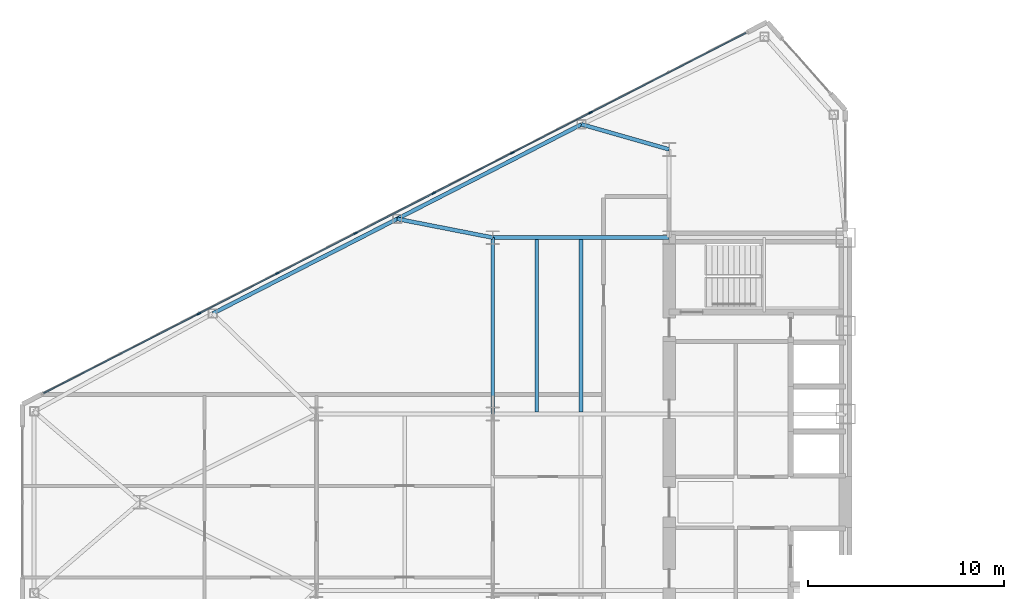
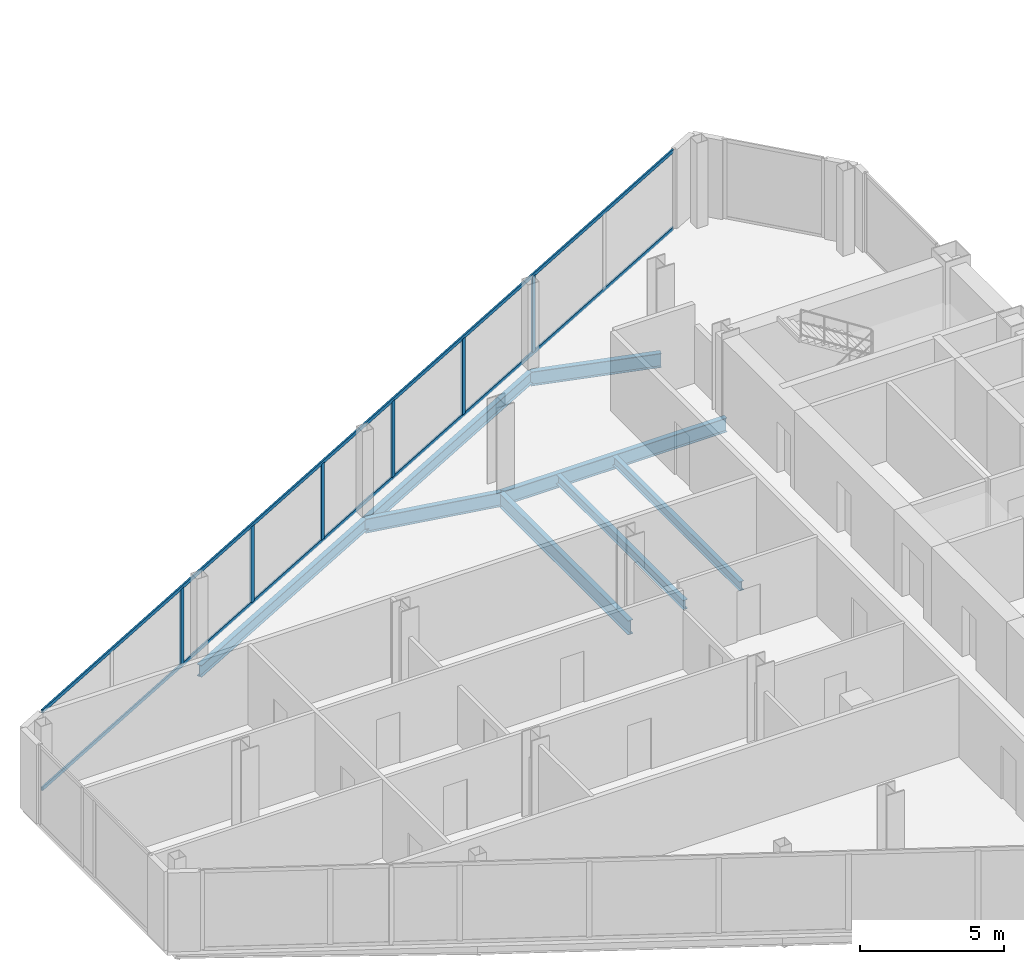
# One storey, part 6 of 23: 8 beams, 8 members, 1 element without a shape of its own.
"""IFC4 building model written with IfcOpenShell, lengths in metres."""

from ifc_helpers import new_model, si_unit, direction, frame, origin, origin_2d, place, context, subcontext, project, spatial, rectangle, i_section, extrude, source, transform, mapped, material, layer, layer_set, material_profile, profile_set, type_object, type_shapes, element, aggregate, save


model = new_model("IFC4")

# Units and contexts
model_context = context("Model", 3, precision=1e-05, world=origin(), true_north=direction((0.0, 1.0)))
body_context = subcontext(model_context, "Body", "Model", "MODEL_VIEW")
ifc_project = project(units=[si_unit("LENGTHUNIT", "METRE"), si_unit("AREAUNIT", "SQUARE_METRE"), si_unit("VOLUMEUNIT", "CUBIC_METRE"), si_unit("PLANEANGLEUNIT", "RADIAN"), si_unit("MASSUNIT", "GRAM", prefix="KILO")], contexts=[model_context])

# Site, building, storey
site_placement = place(None, origin())
site = spatial("IfcSite", under=ifc_project, at=site_placement, CompositionType="ELEMENT")
building_placement = place(site_placement, origin())
building = spatial("IfcBuilding", under=site, at=building_placement, Name="Seokmaru Belvedere", CompositionType="ELEMENT")
storey_placement = place(building_placement, frame((0.0, 0.0, 132.0)))
storey = spatial("IfcBuildingStorey", under=building, at=storey_placement, Name="L35", CompositionType="ELEMENT", Elevation=132.0)

# Beams
ifc_material_1 = material(Name="Steel SM355 (355 MPa)", Category="steel")
ifc_material_profile_1 = material_profile(ifc_material_1, i_section(OverallWidth=0.199951171875, OverallDepth=0.60009765625, WebThickness=0.010986328125, FlangeThickness=0.01708984375, at=origin_2d()), Name="H-600x200x11x17")
ifc_profile_set_1 = profile_set([ifc_material_profile_1], Name="Steel SM355 (355 MPa)")
beam_type_1 = type_object("IfcBeamType", Name="Primary Floor Girder H-600", PredefinedType="BEAM", material=ifc_profile_set_1)
shared_shape_1 = source(origin(), body_context, "Body", "SweptSolid", [
    extrude(i_section(OverallWidth=0.199951171875, OverallDepth=0.60009765625, WebThickness=0.010986328125, FlangeThickness=0.01708984375, at=origin_2d()), origin(), (0.0, 0.0, 1.0), 9.0),
])
for number, where, z_axis, x_axis, name in (
    (1, (-45.5, 4.5, -0.52001953125), (0.0, 1.0, 0.0), (-1.0, 0.0, 0.0), "L35 W Interior Grid Girder 3"),
    (2, (-45.5, 13.5, -0.52001953125), (1.0, 0.0, 0.0), (0.0, 1.0, 0.0), "L35 W Wing Primary Girder 4"),
):
    element("IfcBeam", number, at=place(storey_placement, frame(where, z_axis=z_axis, x_axis=x_axis)), inside=storey, type_object=beam_type_1, Name=name, PredefinedType="BEAM", context=body_context, shape_type="MappedRepresentation", body=[
        mapped(shared_shape_1, transform((0.0, 0.0, 0.0), scale=1.0)),
    ])
ifc_material_profile_2 = material_profile(ifc_material_1, i_section(OverallWidth=0.18505859375, OverallDepth=0.389892578125, WebThickness=0.008056640625, FlangeThickness=0.011962890625, at=origin_2d()), Name="H-390x185x8x12")
ifc_profile_set_2 = profile_set([ifc_material_profile_2], Name="Steel SM355 (355 MPa)")
beam_type_2 = type_object("IfcBeamType", Name="Secondary Floor Joist H-350", PredefinedType="JOIST", material=ifc_profile_set_2)
shared_shape_2 = source(origin(), body_context, "Body", "SweptSolid", [
    extrude(i_section(OverallWidth=0.18505859375, OverallDepth=0.389892578125, WebThickness=0.008056640625, FlangeThickness=0.011962890625, at=origin_2d()), origin(), (0.0, 0.0, 1.0), 8.7900390625),
])
type_shapes(beam_type_2, [shared_shape_2])
for number, where, z_axis, x_axis, name in (
    (3, (-43.25, 4.60498046875, -0.4150390625), (0.0, 1.0, 0.0), (-1.0, 0.0, 0.0), "L35 W Wing Inner Secondary Joist 2"),
    (4, (-41.0, 4.60498046875, -0.4150390625), (0.0, 1.0, 0.0), (-1.0, 0.0, 0.0), "L35 W Secondary Floor Joist 3"),
):
    element("IfcBeam", number, at=place(storey_placement, frame(where, z_axis=z_axis, x_axis=x_axis)), inside=storey, type_object=beam_type_2, Name=name, PredefinedType="JOIST", context=body_context, shape_type="MappedRepresentation", body=[
        mapped(shared_shape_2, transform((0.0, 0.0, 0.0), scale=1.0)),
    ])
ifc_material_profile_3 = material_profile(ifc_material_1, i_section(OverallWidth=0.199951171875, OverallDepth=0.5, WebThickness=0.010009765625, FlangeThickness=0.01611328125, at=origin_2d()), Name="H-500x200x10x16")
ifc_profile_set_3 = profile_set([ifc_material_profile_3], Name="Steel SM355 (355 MPa)")
beam_type_3 = type_object("IfcBeamType", Name="Perimeter Spandrel Beam H-500", PredefinedType="SPANDREL", material=ifc_profile_set_3)
shared_shape_3 = source(origin(), body_context, "Body", "SweptSolid", [
    extrude(i_section(OverallWidth=0.199951171875, OverallDepth=0.5, WebThickness=0.010009765625, FlangeThickness=0.01611328125, at=origin_2d()), origin(), (0.0, 0.0, 1.0), 10.56689453125),
])
type_shapes(beam_type_3, [shared_shape_3])
for number, where, z_axis, x_axis, name in (
    (5, (-40.975830078125, 19.277587890625, -0.469970703125), (-0.889701972758, -0.45654178305, 0.0), (0.45654178305, -0.889701972758, 0.0), "L35 W Faceted Flank Spandrel N-2"),
    (6, (-50.377197265625, 14.453369140625, -0.469970703125), (-0.889692588006, -0.456560071455, 0.0), (0.456560071455, -0.889692588006, 0.0), "L35 W Faceted Flank Spandrel N-3"),
):
    element("IfcBeam", number, at=place(storey_placement, frame(where, z_axis=z_axis, x_axis=x_axis)), inside=storey, type_object=beam_type_3, Name=name, PredefinedType="SPANDREL", context=body_context, shape_type="MappedRepresentation", body=[
        mapped(shared_shape_3, transform((0.0, 0.0, 0.0), scale=1.0)),
    ])
shared_shape_4 = source(origin(), body_context, "Body", "SweptSolid", [
    extrude(i_section(OverallWidth=0.199951171875, OverallDepth=0.60009765625, WebThickness=0.010986328125, FlangeThickness=0.01708984375, at=origin_2d()), origin(), (0.0, 0.0, 1.0), 4.654541015625),
])
beam_1_placement = place(storey_placement, frame((-40.975830078125, 19.277587890625, -0.52001953125), z_axis=(0.961593192625, -0.274478654721, 0.0), x_axis=(0.274478654721, 0.961593192625, 0.0)))
element("IfcBeam", 7, at=beam_1_placement, inside=storey, type_object=beam_type_1, Name="L35 W Flank Radial Floor Girder N-1", PredefinedType="BEAM", context=body_context, shape_type="MappedRepresentation", body=[
    mapped(shared_shape_4, transform((0.0, 0.0, 0.0), scale=1.0)),
])
shared_shape_5 = source(origin(), body_context, "Body", "SweptSolid", [
    extrude(i_section(OverallWidth=0.199951171875, OverallDepth=0.60009765625, WebThickness=0.010986328125, FlangeThickness=0.01708984375, at=origin_2d()), origin(), (0.0, 0.0, 1.0), 4.969482421875),
])
type_shapes(beam_type_1, [shared_shape_1, shared_shape_4, shared_shape_5])
beam_2_placement = place(storey_placement, frame((-50.377197265625, 14.453369140625, -0.52001953125), z_axis=(0.98142544456, -0.19184393858, 0.0), x_axis=(0.19184393858, 0.98142544456, 0.0)))
element("IfcBeam", 8, at=beam_2_placement, inside=storey, type_object=beam_type_1, Name="L35 W Flank Radial Floor Girder N-2", PredefinedType="BEAM", context=body_context, shape_type="MappedRepresentation", body=[
    mapped(shared_shape_5, transform((0.0, 0.0, 0.0), scale=1.0)),
])

# Curtain wall, members
ifc_material_2 = material(Name="Bronze Triple Insulating Glass", Category="glass")
ifc_layer = layer(ifc_material_2, 0.195068359375)
ifc_layer_set = layer_set([ifc_layer], Name="Bronze Triple Insulating Glass")
curtain_wall_type = type_object("IfcCurtainWallType", Name="Sky-Lobby and Mid-Rise Curtain Wall System CW-4", PredefinedType="NOTDEFINED", material=ifc_layer_set)
curtain_wall_placement = place(storey_placement, origin())
curtain_wall = element("IfcCurtainWall", 9, at=curtain_wall_placement, inside=storey, type_object=curtain_wall_type, Name="L35 Curtain Wall WF3", PredefinedType="NOTDEFINED")
ifc_material_3 = material(Name="Anodised Bronze Aluminium", Category="aluminium")
ifc_material_profile_4 = material_profile(ifc_material_3, rectangle(XDim=0.06494140625, YDim=0.14990234375, at=origin_2d()), Name="CW-T-65x150")
ifc_profile_set_4 = profile_set([ifc_material_profile_4], Name="Anodised Bronze Aluminium")
member_type_1 = type_object("IfcMemberType", Name="Bronze Unitised Transom 65x150", PredefinedType="USERDEFINED", material=ifc_profile_set_4)
shared_shape_6 = source(origin(), body_context, "Body", "SweptSolid", [
    extrude(rectangle(XDim=0.06494140625, YDim=0.14990234375, at=origin_2d()), origin(), (0.0, 0.0, 1.0), 40.271240234375),
])
type_shapes(member_type_1, [shared_shape_6])
member_1_placement = place(storey_placement, frame((-32.58544921875, 23.943115234375, 0.032470703125), z_axis=(-0.889693089107, -0.456559094965, 0.0), x_axis=(0.456559094965, -0.889693089107, 0.0)))
member_1 = element("IfcMember", 10, at=member_1_placement, type_object=member_type_1, Name="CW:L35:WF3 Continuous Transom 1", ObjectType="TRANSOM", PredefinedType="USERDEFINED", context=body_context, shape_type="MappedRepresentation", body=[
    mapped(shared_shape_6, transform((0.0, 0.0, 0.0), scale=1.0)),
])
member_2_placement = place(storey_placement, frame((-32.58544921875, 23.943115234375, 3.3076171875), z_axis=(-0.889693089107, -0.456559094965, 0.0), x_axis=(0.456559094965, -0.889693089107, 0.0)))
member_2 = element("IfcMember", 11, at=member_2_placement, type_object=member_type_1, Name="CW:L35:WF3 Continuous Transom 2", ObjectType="TRANSOM", PredefinedType="USERDEFINED", context=body_context, shape_type="MappedRepresentation", body=[
    mapped(shared_shape_6, transform((0.0, 0.0, 0.0), scale=1.0)),
])
ifc_material_profile_5 = material_profile(ifc_material_3, rectangle(XDim=0.070068359375, YDim=0.195068359375, at=origin_2d()), Name="CW-M-70x195")
ifc_profile_set_5 = profile_set([ifc_material_profile_5], Name="Anodised Bronze Aluminium")
member_type_2 = type_object("IfcMemberType", Name="Bronze Unitised Mullion 70x195", PredefinedType="MULLION", material=ifc_profile_set_5)
shared_shape_7 = source(origin(), body_context, "Body", "SweptSolid", [
    extrude(rectangle(XDim=0.070068359375, YDim=0.195068359375, at=origin_2d()), origin(), (0.0, 0.0, 1.0), 3.2099609375),
])
type_shapes(member_type_2, [shared_shape_7])
member_3_placement = place(storey_placement, frame((-40.5126953125, 19.875, 0.06494140625), z_axis=(0.0, 0.0, 1.0), x_axis=(0.456554528263, -0.889695432562, 0.0)))
member_3 = element("IfcMember", 12, at=member_3_placement, type_object=member_type_2, Name="CW:L35:WF3 Mullion 3", PredefinedType="MULLION", context=body_context, shape_type="MappedRepresentation", body=[
    mapped(shared_shape_7, transform((0.0, 0.0, 0.0), scale=1.0)),
])
member_4_placement = place(storey_placement, frame((-44.5078125, 17.824951171875, 0.06494140625), z_axis=(0.0, 0.0, 1.0), x_axis=(0.456554528263, -0.889695432562, 0.0)))
member_4 = element("IfcMember", 13, at=member_4_placement, type_object=member_type_2, Name="CW:L35:WF3 Mullion 4", PredefinedType="MULLION", context=body_context, shape_type="MappedRepresentation", body=[
    mapped(shared_shape_7, transform((0.0, 0.0, 0.0), scale=1.0)),
])
member_5_placement = place(storey_placement, frame((-48.502685546875, 15.77490234375, 0.06494140625), z_axis=(0.0, 0.0, 1.0), x_axis=(0.456554528263, -0.889695432562, 0.0)))
member_5 = element("IfcMember", 14, at=member_5_placement, type_object=member_type_2, Name="CW:L35:WF3 Mullion 5", PredefinedType="MULLION", context=body_context, shape_type="MappedRepresentation", body=[
    mapped(shared_shape_7, transform((0.0, 0.0, 0.0), scale=1.0)),
])
member_6_placement = place(storey_placement, frame((-52.497314453125, 13.72509765625, 0.06494140625), z_axis=(0.0, 0.0, 1.0), x_axis=(0.456554528263, -0.889695432562, 0.0)))
member_6 = element("IfcMember", 15, at=member_6_placement, type_object=member_type_2, Name="CW:L35:WF3 Mullion 6", PredefinedType="MULLION", context=body_context, shape_type="MappedRepresentation", body=[
    mapped(shared_shape_7, transform((0.0, 0.0, 0.0), scale=1.0)),
])
member_7_placement = place(storey_placement, frame((-56.4921875, 11.675048828125, 0.06494140625), z_axis=(0.0, 0.0, 1.0), x_axis=(0.456554528263, -0.889695432562, 0.0)))
member_7 = element("IfcMember", 16, at=member_7_placement, type_object=member_type_2, Name="CW:L35:WF3 Mullion 7", PredefinedType="MULLION", context=body_context, shape_type="MappedRepresentation", body=[
    mapped(shared_shape_7, transform((0.0, 0.0, 0.0), scale=1.0)),
])
member_8_placement = place(storey_placement, frame((-60.4873046875, 9.625, 0.06494140625), z_axis=(0.0, 0.0, 1.0), x_axis=(0.456554528263, -0.889695432562, 0.0)))
member_8 = element("IfcMember", 17, at=member_8_placement, type_object=member_type_2, Name="CW:L35:WF3 Mullion 8", PredefinedType="MULLION", context=body_context, shape_type="MappedRepresentation", body=[
    mapped(shared_shape_7, transform((0.0, 0.0, 0.0), scale=1.0)),
])
aggregate(curtain_wall, [member_3, member_4, member_5, member_6, member_7, member_8, member_1, member_2])

save(model, "model.ifc")
